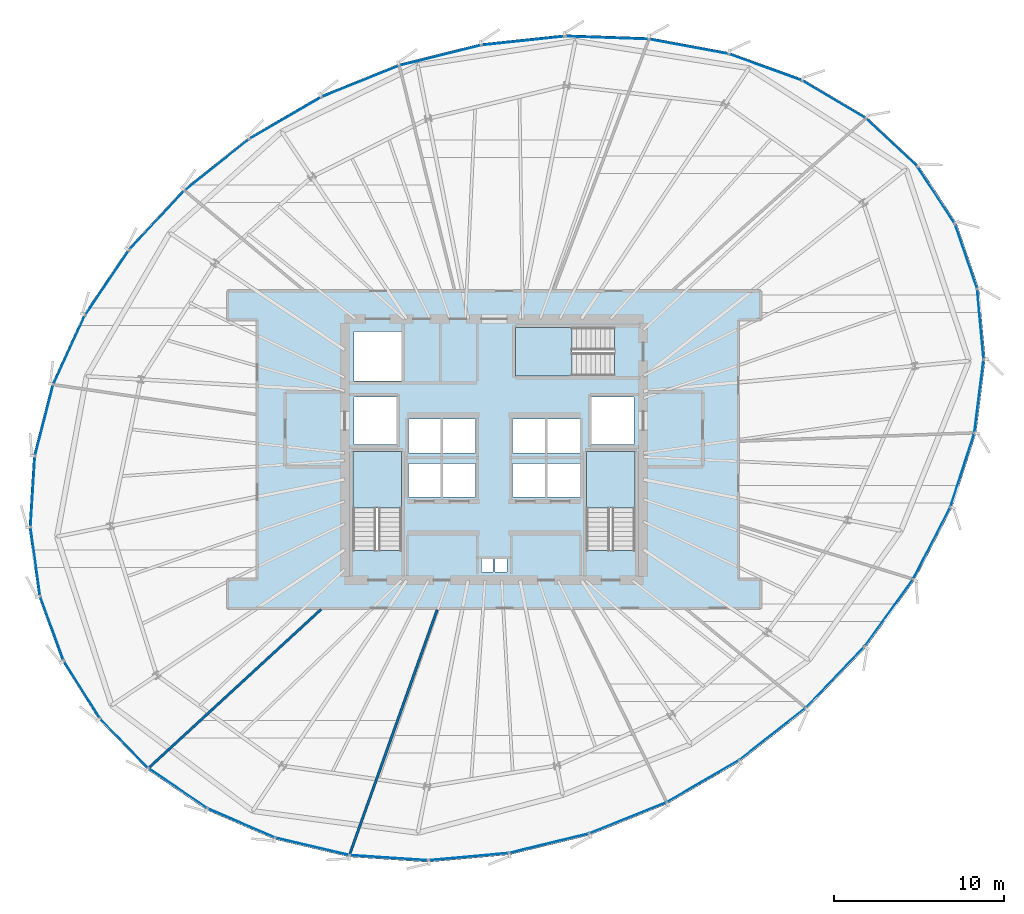
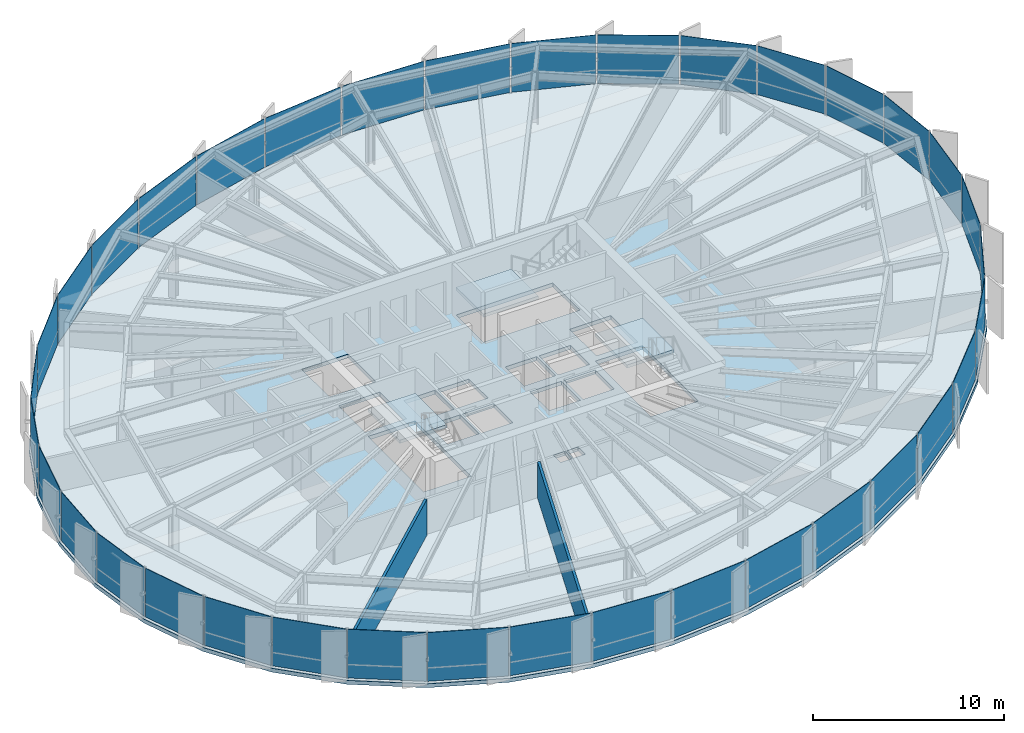
# One storey, part 28 of 35: 36 plates, 4 slabs, 2 walls, 9 elements without a shape of their own.
"""IFC4 building model written with IfcOpenShell, lengths in metres."""

from ifc_helpers import new_model, si_unit, direction, frame, frame_2d, origin, origin_2d, place, context, subcontext, project, spatial, polyline, rectangle, outline, extrude, source, transform, mapped, material, layer, layer_set, type_object, element, aggregate, save


model = new_model("IFC4")

# Units and contexts
model_context = context("Model", 3, precision=1e-05, world=origin(), true_north=direction((0.0, 1.0)))
body_context = subcontext(model_context, "Body", "Model", "MODEL_VIEW")
ifc_project = project(units=[si_unit("LENGTHUNIT", "METRE"), si_unit("AREAUNIT", "SQUARE_METRE"), si_unit("VOLUMEUNIT", "CUBIC_METRE"), si_unit("PLANEANGLEUNIT", "RADIAN"), si_unit("MASSUNIT", "GRAM", prefix="KILO"), si_unit("THERMODYNAMICTEMPERATUREUNIT", "KELVIN")], contexts=[model_context])

# Site, building, storey
site_placement = place(None, origin())
site = spatial("IfcSite", under=ifc_project, at=site_placement, CompositionType="ELEMENT")
building_placement = place(site_placement, origin())
building = spatial("IfcBuilding", under=site, at=building_placement, Name="Kethvar Cultural Tower", CompositionType="ELEMENT")
storey_placement = place(building_placement, frame((0.0, 0.0, 139.449951171875)))
storey = spatial("IfcBuildingStorey", under=building, at=storey_placement, Name="L35", CompositionType="ELEMENT", Elevation=139.449951171875)

# Stair, slab
ifc_material_1 = material(Name="Concrete C40/50", Category="concrete")
stair_type = type_object("IfcStairType", Name="ST-DOGLEG-135", PredefinedType="HALF_TURN_STAIR", material=ifc_material_1)
stair_1_placement = place(storey_placement, origin())
stair_1 = element("IfcStair", 1, at=stair_1_placement, inside=storey, type_object=stair_type, Name="L35 Core Exit Stair 1", PredefinedType="HALF_TURN_STAIR")
ifc_layer_1 = layer(ifc_material_1, 0.199951171875, Name="Concrete C40/50", Category="concrete")
ifc_layer_set_1 = layer_set([ifc_layer_1], Name="Concrete C40/50 (200 mm)")
slab_type_1 = type_object("IfcSlabType", Name="SL-STAIR-LANDING-200", PredefinedType="LANDING", material=ifc_layer_set_1)
slab_1_placement = place(storey_placement, frame((0.0, 0.0, 1.574951171875)))
slab_1 = element("IfcSlab", 2, at=slab_1_placement, type_object=slab_type_1, Name="ST-01 landing 1", PredefinedType="LANDING", context=body_context, shape_type="SweptSolid", body=[
    extrude(outline(polyline([(41.35009765625, 24.3701171875), (41.35009765625, 27.699951171875), (38.489990234375, 27.699951171875), (38.489990234375, 24.3701171875), (41.35009765625, 24.3701171875)])), origin(), (0.0, 0.0, 1.0), 0.2001953125),
])
aggregate(stair_1, [slab_1])

stair_2_placement = place(storey_placement, origin())
stair_2 = element("IfcStair", 3, at=stair_2_placement, inside=storey, type_object=stair_type, Name="L35 Core Exit Stair 2", PredefinedType="HALF_TURN_STAIR")
slab_2_placement = place(storey_placement, frame((0.0, 0.0, 1.574951171875)))
slab_2 = element("IfcSlab", 4, at=slab_2_placement, type_object=slab_type_1, Name="ST-02 landing 1", PredefinedType="LANDING", context=body_context, shape_type="SweptSolid", body=[
    extrude(outline(polyline([(55.110107421875, 24.3701171875), (55.110107421875, 27.699951171875), (52.25, 27.699951171875), (52.25, 24.3701171875), (55.110107421875, 24.3701171875)])), origin(), (0.0, 0.0, 1.0), 0.2001953125),
])
aggregate(stair_2, [slab_2])

stair_3_placement = place(storey_placement, origin())
stair_3 = element("IfcStair", 5, at=stair_3_placement, inside=storey, type_object=stair_type, Name="L35 Core Exit Stair 3", PredefinedType="HALF_TURN_STAIR")
slab_3_placement = place(storey_placement, frame((0.0, 0.0, 1.574951171875)))
slab_3 = element("IfcSlab", 6, at=slab_3_placement, type_object=slab_type_1, Name="ST-03 landing 1", PredefinedType="LANDING", context=body_context, shape_type="SweptSolid", body=[
    extrude(outline(polyline([(51.3798828125, 35.010009765625), (48.050048828125, 35.010009765625), (48.050048828125, 32.14990234375), (51.3798828125, 32.14990234375), (51.3798828125, 35.010009765625)])), origin(), (0.0, 0.0, 1.0), 0.2001953125),
])
aggregate(stair_3, [slab_3])

# Slab
ifc_layer_2 = layer(ifc_material_1, 0.25, Name="Concrete C40/50", Category="concrete")
ifc_layer_set_2 = layer_set([ifc_layer_2], Name="Concrete C40/50 (250 mm)")
slab_type_2 = type_object("IfcSlabType", Name="SL-TOW-250", PredefinedType="FLOOR", material=ifc_layer_set_2)
slab_4_placement = place(storey_placement, frame((0.0, 0.0, -0.25)))
element("IfcSlab", 7, at=slab_4_placement, inside=storey, type_object=slab_type_2, Name="L35 Structural Floor Slab", PredefinedType="FLOOR", context=body_context, shape_type="SweptSolid", body=[
    extrude(outline(polyline([(74.05224609375, 41.150634765625), (71.82275390625, 44.552001953125), (68.76171875, 47.4091796875), (64.987548828125, 49.6484375), (60.651611328125, 51.218994140625), (55.926513671875, 52.09375), (50.991943359375, 52.263427734375), (46.022705078125, 51.7353515625), (41.175048828125, 50.52783203125), (36.57666015625, 48.66845703125), (32.3115234375, 46.185791015625), (28.48681640625, 43.14453125), (25.21826171875, 39.63720703125), (22.605712890625, 35.77001953125), (20.72802734375, 31.66064453125), (19.642578125, 27.43408203125), (19.38232421875, 23.218505859375), (19.955322265625, 19.142333984375), (21.34375, 15.3291015625), (23.505859375, 11.894775390625), (26.37548828125, 8.94384765625), (29.865966796875, 6.565673828125), (33.870849609375, 4.832763671875), (38.2685546875, 3.7978515625), (42.925537109375, 3.491943359375), (47.7001953125, 3.9248046875), (52.447509765625, 5.0830078125), (57.023193359375, 6.931640625), (61.31103515625, 9.42529296875), (65.236083984375, 12.515625), (68.69921875, 16.118408203125), (71.58935546875, 20.12158203125), (73.79443359375, 24.39111328125), (75.2109375, 28.780029296875), (75.7548828125, 33.134521484375), (75.373291015625, 37.304443359375), (74.05224609375, 41.150634765625)]), holes=[polyline([(38.489990234375, 21.85009765625), (38.489990234375, 27.699951171875), (41.35009765625, 27.699951171875), (41.35009765625, 21.85009765625), (38.489990234375, 21.85009765625)]), polyline([(52.25, 21.85009765625), (52.25, 27.699951171875), (55.110107421875, 27.699951171875), (55.110107421875, 21.85009765625), (52.25, 21.85009765625)]), polyline([(53.89990234375, 32.14990234375), (48.050048828125, 32.14990234375), (48.050048828125, 35.010009765625), (53.89990234375, 35.010009765625), (53.89990234375, 32.14990234375)]), polyline([(41.75, 27.0), (43.64990234375, 27.0), (43.64990234375, 25.0), (41.75, 25.0), (41.75, 27.0)]), polyline([(43.800048828125, 27.0), (45.699951171875, 27.0), (45.699951171875, 25.0), (43.800048828125, 25.0), (43.800048828125, 27.0)]), polyline([(47.89990234375, 27.0), (49.800048828125, 27.0), (49.800048828125, 25.0), (47.89990234375, 25.0), (47.89990234375, 27.0)]), polyline([(49.949951171875, 27.0), (51.85009765625, 27.0), (51.85009765625, 25.0), (49.949951171875, 25.0), (49.949951171875, 27.0)]), polyline([(41.75, 29.60009765625), (43.64990234375, 29.60009765625), (43.64990234375, 27.60009765625), (41.75, 27.60009765625), (41.75, 29.60009765625)]), polyline([(43.800048828125, 29.60009765625), (45.699951171875, 29.60009765625), (45.699951171875, 27.60009765625), (43.800048828125, 27.60009765625), (43.800048828125, 29.60009765625)]), polyline([(47.89990234375, 29.60009765625), (49.800048828125, 29.60009765625), (49.800048828125, 27.60009765625), (47.89990234375, 27.60009765625), (47.89990234375, 29.60009765625)]), polyline([(49.949951171875, 29.60009765625), (51.85009765625, 29.60009765625), (51.85009765625, 27.60009765625), (49.949951171875, 27.60009765625), (49.949951171875, 29.60009765625)]), polyline([(38.550048828125, 30.89990234375), (41.050048828125, 30.89990234375), (41.050048828125, 28.10009765625), (38.550048828125, 28.10009765625), (38.550048828125, 30.89990234375)]), polyline([(52.550048828125, 30.89990234375), (55.050048828125, 30.89990234375), (55.050048828125, 28.10009765625), (52.550048828125, 28.10009765625), (52.550048828125, 30.89990234375)]), polyline([(38.550048828125, 34.75), (41.35009765625, 34.75), (41.35009765625, 31.85009765625), (38.550048828125, 31.85009765625), (38.550048828125, 34.75)]), polyline([(46.050048828125, 21.35009765625), (46.75, 21.35009765625), (46.75, 20.60009765625), (46.050048828125, 20.60009765625), (46.050048828125, 21.35009765625)]), polyline([(46.85009765625, 21.35009765625), (47.550048828125, 21.35009765625), (47.550048828125, 20.60009765625), (46.85009765625, 20.60009765625), (46.85009765625, 21.35009765625)])]), origin(), (0.0, 0.0, 1.0), 0.25),
])

# Curtain wall, plates
ifc_material_2 = material(Name="Aluminium 6063-T6", Category="aluminium")
ifc_layer_3 = layer(ifc_material_2, 0.179931640625, Name="Aluminium 6063-T6", Category="aluminium")
ifc_layer_set_3 = layer_set([ifc_layer_3], Name="Aluminium 6063-T6 (180 mm)")
curtain_wall_type = type_object("IfcCurtainWallType", Name="CW-SYS-04-Z34", PredefinedType="NOTDEFINED", material=ifc_layer_set_3)
curtain_wall_1_placement = place(storey_placement, origin())
curtain_wall_1 = element("IfcCurtainWall", 8, at=curtain_wall_1_placement, inside=storey, type_object=curtain_wall_type, Name="L35 Curtain Wall Run 02", PredefinedType="NOTDEFINED")
ifc_material_3 = material(Name="Insulated Low-E Solar Glass", Category="glass")
ifc_layer_4 = layer(ifc_material_3, 0.030029296875, Name="Insulated Low-E Solar Glass", Category="glass")
ifc_layer_set_4 = layer_set([ifc_layer_4], Name="Insulated Low-E Solar Glass (30 mm)")
plate_type = type_object("IfcPlateType", Name="CW-SYS-04-Z34-PNL", PredefinedType="CURTAIN_PANEL", material=ifc_layer_set_4)
shared_shape_1 = source(origin(), body_context, "Body", "SweptSolid", [
    extrude(rectangle(XDim=4.87353515625, YDim=0.030029296875, at=origin_2d()), origin(), (0.0, 0.0, 1.0), 3.1201171875),
])
plate_1_placement = place(storey_placement, frame((38.9169921875, 49.49609375, 0.090087890625), z_axis=(0.0, 0.0, 1.0), x_axis=(-0.927066122682, -0.374897858324, 0.0)))
plate_1 = element("IfcPlate", 9, at=plate_1_placement, type_object=plate_type, Name="CW-L35-R02 Vision Glazing Panel 3", PredefinedType="CURTAIN_PANEL", context=body_context, shape_type="MappedRepresentation", body=[
    mapped(shared_shape_1, transform((0.0, 0.0, 0.0), scale=1.0)),
])
shared_shape_2 = source(origin(), body_context, "Body", "SweptSolid", [
    extrude(rectangle(XDim=4.9091796875, YDim=0.030029296875, at=origin_2d()), origin(), (0.0, 0.0, 1.0), 3.1201171875),
])
plate_2_placement = place(storey_placement, frame((43.62548828125, 51.02490234375, 0.090087890625), z_axis=(0.0, 0.0, 1.0), x_axis=(-0.97035480998, -0.241684800408, 0.0)))
plate_2 = element("IfcPlate", 10, at=plate_2_placement, type_object=plate_type, Name="CW-L35-R02 Vision Glazing Panel 2", PredefinedType="CURTAIN_PANEL", context=body_context, shape_type="MappedRepresentation", body=[
    mapped(shared_shape_2, transform((0.0, 0.0, 0.0), scale=1.0)),
])

# Curtain wall, plate
curtain_wall_2_placement = place(storey_placement, origin())
curtain_wall_2 = element("IfcCurtainWall", 11, at=curtain_wall_2_placement, inside=storey, type_object=curtain_wall_type, Name="L35 Curtain Wall Run 05", PredefinedType="NOTDEFINED")
plate_3_placement = place(storey_placement, frame((63.20556640625, 11.056884765625, 0.090087890625), z_axis=(0.0, 0.0, 1.0), x_axis=(0.785716560534, 0.618586684711, 0.0)))
plate_3 = element("IfcPlate", 12, at=plate_3_placement, type_object=plate_type, Name="CW-L35-R05 Vision Glazing Panel 5", PredefinedType="CURTAIN_PANEL", context=body_context, shape_type="MappedRepresentation", body=[
    mapped(shared_shape_2, transform((0.0, 0.0, 0.0), scale=1.0)),
])

# Curtain wall, plates
curtain_wall_3_placement = place(storey_placement, origin())
curtain_wall_3 = element("IfcCurtainWall", 13, at=curtain_wall_3_placement, inside=storey, type_object=curtain_wall_type, Name="L35 Curtain Wall Run 01", PredefinedType="NOTDEFINED")
shared_shape_3 = source(origin(), body_context, "Body", "SweptSolid", [
    extrude(rectangle(XDim=3.98046875, YDim=0.030029296875, at=origin_2d()), origin(), (0.0, 0.0, 1.0), 3.1201171875),
])
plate_4_placement = place(storey_placement, frame((72.845703125, 42.791015625, 0.090087890625), z_axis=(0.0, 0.0, 1.0), x_axis=(-0.548205650832, 0.836343568395, 0.0)))
plate_4 = element("IfcPlate", 14, at=plate_4_placement, type_object=plate_type, Name="CW-L35-R01 Vision Glazing Panel 1", PredefinedType="CURTAIN_PANEL", context=body_context, shape_type="MappedRepresentation", body=[
    mapped(shared_shape_3, transform((0.0, 0.0, 0.0), scale=1.0)),
])
shared_shape_4 = source(origin(), body_context, "Body", "SweptSolid", [
    extrude(rectangle(XDim=4.10107421875, YDim=0.030029296875, at=origin_2d()), origin(), (0.0, 0.0, 1.0), 3.1201171875),
])
plate_5_placement = place(storey_placement, frame((70.21728515625, 45.900146484375, 0.090087890625), z_axis=(0.0, 0.0, 1.0), x_axis=(-0.731008417564, 0.682368444061, 0.0)))
plate_5 = element("IfcPlate", 15, at=plate_5_placement, type_object=plate_type, Name="CW-L35-R01 Vision Glazing Panel 2", PredefinedType="CURTAIN_PANEL", context=body_context, shape_type="MappedRepresentation", body=[
    mapped(shared_shape_4, transform((0.0, 0.0, 0.0), scale=1.0)),
])

# Curtain wall, plate
curtain_wall_4_placement = place(storey_placement, origin())
curtain_wall_4 = element("IfcCurtainWall", 16, at=curtain_wall_4_placement, inside=storey, type_object=curtain_wall_type, Name="L35 Curtain Wall Run 06", PredefinedType="NOTDEFINED")
plate_6_placement = place(storey_placement, frame((75.45458984375, 35.20947265625, 0.090087890625), z_axis=(0.0, 0.0, 1.0), x_axis=(-0.091154011602, 0.995836806996, 0.0)))
plate_6 = element("IfcPlate", 17, at=plate_6_placement, type_object=plate_type, Name="CW-L35-R06 Vision Glazing Panel 5", PredefinedType="CURTAIN_PANEL", context=body_context, shape_type="MappedRepresentation", body=[
    mapped(shared_shape_4, transform((0.0, 0.0, 0.0), scale=1.0)),
])

# Plate
shared_shape_5 = source(origin(), body_context, "Body", "SweptSolid", [
    extrude(rectangle(XDim=4.302001953125, YDim=0.030029296875, at=origin_2d()), origin(), (0.0, 0.0, 1.0), 3.1201171875),
])
plate_7_placement = place(storey_placement, frame((66.818603515625, 48.43408203125, 0.090087890625), z_axis=(0.0, 0.0, 1.0), x_axis=(-0.860039337591, 0.510227731309, 0.0)))
plate_7 = element("IfcPlate", 18, at=plate_7_placement, type_object=plate_type, Name="CW-L35-R01 Vision Glazing Panel 3", PredefinedType="CURTAIN_PANEL", context=body_context, shape_type="MappedRepresentation", body=[
    mapped(shared_shape_5, transform((0.0, 0.0, 0.0), scale=1.0)),
])

plate_8_placement = place(storey_placement, frame((75.373779296875, 30.970947265625, 0.090087890625), z_axis=(0.0, 0.0, 1.0), x_axis=(0.123982495731, 0.992284405174, 0.0)))
plate_8 = element("IfcPlate", 19, at=plate_8_placement, type_object=plate_type, Name="CW-L35-R06 Vision Glazing Panel 4", PredefinedType="CURTAIN_PANEL", context=body_context, shape_type="MappedRepresentation", body=[
    mapped(shared_shape_5, transform((0.0, 0.0, 0.0), scale=1.0)),
])

shared_shape_6 = source(origin(), body_context, "Body", "SweptSolid", [
    extrude(rectangle(XDim=4.525390625, YDim=0.030029296875, at=origin_2d()), origin(), (0.0, 0.0, 1.0), 3.1201171875),
])
plate_9_placement = place(storey_placement, frame((62.7822265625, 50.330322265625, 0.090087890625), z_axis=(0.0, 0.0, 1.0), x_axis=(-0.940210873138, 0.340592886058, 0.0)))
plate_9 = element("IfcPlate", 20, at=plate_9_placement, type_object=plate_type, Name="CW-L35-R01 Vision Glazing Panel 4", PredefinedType="CURTAIN_PANEL", context=body_context, shape_type="MappedRepresentation", body=[
    mapped(shared_shape_6, transform((0.0, 0.0, 0.0), scale=1.0)),
])

plate_10_placement = place(storey_placement, frame((74.39794921875, 26.619384765625, 0.090087890625), z_axis=(0.0, 0.0, 1.0), x_axis=(0.30712409025, 0.951669476861, 0.0)))
plate_10 = element("IfcPlate", 21, at=plate_10_placement, type_object=plate_type, Name="CW-L35-R06 Vision Glazing Panel 3", PredefinedType="CURTAIN_PANEL", context=body_context, shape_type="MappedRepresentation", body=[
    mapped(shared_shape_6, transform((0.0, 0.0, 0.0), scale=1.0)),
])

shared_shape_7 = source(origin(), body_context, "Body", "SweptSolid", [
    extrude(rectangle(XDim=4.718994140625, YDim=0.030029296875, at=origin_2d()), origin(), (0.0, 0.0, 1.0), 3.1201171875),
])
plate_11_placement = place(storey_placement, frame((58.26904296875, 51.548095703125, 0.090087890625), z_axis=(0.0, 0.0, 1.0), x_axis=(-0.98329940675, 0.181995265557, 0.0)))
plate_11 = element("IfcPlate", 22, at=plate_11_placement, type_object=plate_type, Name="CW-L35-R01 Vision Glazing Panel 5", PredefinedType="CURTAIN_PANEL", context=body_context, shape_type="MappedRepresentation", body=[
    mapped(shared_shape_7, transform((0.0, 0.0, 0.0), scale=1.0)),
])

plate_12_placement = place(storey_placement, frame((72.59423828125, 22.306884765625, 0.090087890625), z_axis=(0.0, 0.0, 1.0), x_axis=(0.458866670941, 0.888505136901, 0.0)))
plate_12 = element("IfcPlate", 23, at=plate_12_placement, type_object=plate_type, Name="CW-L35-R06 Vision Glazing Panel 2", PredefinedType="CURTAIN_PANEL", context=body_context, shape_type="MappedRepresentation", body=[
    mapped(shared_shape_7, transform((0.0, 0.0, 0.0), scale=1.0)),
])

shared_shape_8 = source(origin(), body_context, "Body", "SweptSolid", [
    extrude(rectangle(XDim=4.850830078125, YDim=0.030029296875, at=origin_2d()), origin(), (0.0, 0.0, 1.0), 3.1201171875),
])
plate_13_placement = place(storey_placement, frame((53.455322265625, 52.068603515625, 0.090087890625), z_axis=(0.0, 0.0, 1.0), x_axis=(-0.999408363227, 0.034393655101, 0.0)))
plate_13 = element("IfcPlate", 24, at=plate_13_placement, type_object=plate_type, Name="CW-L35-R01 Vision Glazing Panel 6", PredefinedType="CURTAIN_PANEL", context=body_context, shape_type="MappedRepresentation", body=[
    mapped(shared_shape_8, transform((0.0, 0.0, 0.0), scale=1.0)),
])

aggregate(curtain_wall_3, [plate_4, plate_5, plate_7, plate_9, plate_11, plate_13])

shared_shape_9 = source(origin(), body_context, "Body", "SweptSolid", [
    extrude(rectangle(XDim=4.910888671875, YDim=0.030029296875, at=origin_2d()), origin(), (0.0, 0.0, 1.0), 3.1201171875),
])
plate_14_placement = place(storey_placement, frame((48.51904296875, 51.89013671875, 0.090087890625), z_axis=(0.0, 0.0, 1.0), x_axis=(-0.994398982916, -0.105691356199, 0.0)))
plate_14 = element("IfcPlate", 25, at=plate_14_placement, type_object=plate_type, Name="CW-L35-R02 Vision Glazing Panel 1", PredefinedType="CURTAIN_PANEL", context=body_context, shape_type="MappedRepresentation", body=[
    mapped(shared_shape_9, transform((0.0, 0.0, 0.0), scale=1.0)),
])

plate_15_placement = place(storey_placement, frame((66.888427734375, 14.393310546875, 0.090087890625), z_axis=(0.0, 0.0, 1.0), x_axis=(0.692974122577, 0.720962457718, 0.0)))
plate_15 = element("IfcPlate", 26, at=plate_15_placement, type_object=plate_type, Name="CW-L35-R05 Vision Glazing Panel 6", PredefinedType="CURTAIN_PANEL", context=body_context, shape_type="MappedRepresentation", body=[
    mapped(shared_shape_9, transform((0.0, 0.0, 0.0), scale=1.0)),
])

shared_shape_10 = source(origin(), body_context, "Body", "SweptSolid", [
    extrude(rectangle(XDim=4.8486328125, YDim=0.030029296875, at=origin_2d()), origin(), (0.0, 0.0, 1.0), 3.1201171875),
])
plate_16_placement = place(storey_placement, frame((34.49951171875, 47.33203125, 0.090087890625), z_axis=(0.0, 0.0, 1.0), x_axis=(-0.864248462706, -0.503065199263, 0.0)))
plate_16 = element("IfcPlate", 27, at=plate_16_placement, type_object=plate_type, Name="CW-L35-R02 Vision Glazing Panel 4", PredefinedType="CURTAIN_PANEL", context=body_context, shape_type="MappedRepresentation", body=[
    mapped(shared_shape_10, transform((0.0, 0.0, 0.0), scale=1.0)),
])

shared_shape_11 = source(origin(), body_context, "Body", "SweptSolid", [
    extrude(rectangle(XDim=4.80029296875, YDim=0.030029296875, at=origin_2d()), origin(), (0.0, 0.0, 1.0), 3.1201171875),
])
plate_17_placement = place(storey_placement, frame((30.467529296875, 44.5791015625, 0.090087890625), z_axis=(0.0, 0.0, 1.0), x_axis=(-0.782727656659, -0.622364375186, 0.0)))
plate_17 = element("IfcPlate", 28, at=plate_17_placement, type_object=plate_type, Name="CW-L35-R02 Vision Glazing Panel 5", PredefinedType="CURTAIN_PANEL", context=body_context, shape_type="MappedRepresentation", body=[
    mapped(shared_shape_11, transform((0.0, 0.0, 0.0), scale=1.0)),
])

plate_18_placement = place(storey_placement, frame((50.0478515625, 4.61083984375, 0.090087890625), z_axis=(0.0, 0.0, 1.0), x_axis=(0.971507769146, 0.237007709767, 0.0)))
plate_18 = element("IfcPlate", 29, at=plate_18_placement, type_object=plate_type, Name="CW-L35-R05 Vision Glazing Panel 2", PredefinedType="CURTAIN_PANEL", context=body_context, shape_type="MappedRepresentation", body=[
    mapped(shared_shape_11, transform((0.0, 0.0, 0.0), scale=1.0)),
])

shared_shape_12 = source(origin(), body_context, "Body", "SweptSolid", [
    extrude(rectangle(XDim=4.707763671875, YDim=0.030029296875, at=origin_2d()), origin(), (0.0, 0.0, 1.0), 3.1201171875),
])
plate_19_placement = place(storey_placement, frame((26.932861328125, 41.31591796875, 0.090087890625), z_axis=(0.0, 0.0, 1.0), x_axis=(-0.681743027916, -0.731591719395, 0.0)))
plate_19 = element("IfcPlate", 30, at=plate_19_placement, type_object=plate_type, Name="CW-L35-R02 Vision Glazing Panel 6", PredefinedType="CURTAIN_PANEL", context=body_context, shape_type="MappedRepresentation", body=[
    mapped(shared_shape_12, transform((0.0, 0.0, 0.0), scale=1.0)),
])

aggregate(curtain_wall_1, [plate_14, plate_2, plate_1, plate_16, plate_17, plate_19])

plate_20_placement = place(storey_placement, frame((45.302978515625, 3.818115234375, 0.090087890625), z_axis=(0.0, 0.0, 1.0), x_axis=(0.99591439876, 0.090302327448, 0.0)))
plate_20 = element("IfcPlate", 31, at=plate_20_placement, type_object=plate_type, Name="CW-L35-R05 Vision Glazing Panel 1", PredefinedType="CURTAIN_PANEL", context=body_context, shape_type="MappedRepresentation", body=[
    mapped(shared_shape_12, transform((0.0, 0.0, 0.0), scale=1.0)),
])

# Curtain wall, plate
curtain_wall_5_placement = place(storey_placement, origin())
curtain_wall_5 = element("IfcCurtainWall", 32, at=curtain_wall_5_placement, inside=storey, type_object=curtain_wall_type, Name="L35 Curtain Wall Run 03", PredefinedType="NOTDEFINED")
shared_shape_13 = source(origin(), body_context, "Body", "SweptSolid", [
    extrude(rectangle(XDim=4.58056640625, YDim=0.030029296875, at=origin_2d()), origin(), (0.0, 0.0, 1.0), 3.1201171875),
])
plate_21_placement = place(storey_placement, frame((24.003173828125, 37.64208984375, 0.090087890625), z_axis=(0.0, 0.0, 1.0), x_axis=(-0.559829393671, -0.828607898817, 0.0)))
plate_21 = element("IfcPlate", 33, at=plate_21_placement, type_object=plate_type, Name="CW-L35-R03 Vision Glazing Panel 1", PredefinedType="CURTAIN_PANEL", context=body_context, shape_type="MappedRepresentation", body=[
    mapped(shared_shape_13, transform((0.0, 0.0, 0.0), scale=1.0)),
])

curtain_wall_6_placement = place(storey_placement, origin())
curtain_wall_6 = element("IfcCurtainWall", 34, at=curtain_wall_6_placement, inside=storey, type_object=curtain_wall_type, Name="L35 Curtain Wall Run 04", PredefinedType="NOTDEFINED")
plate_22_placement = place(storey_placement, frame((40.604248046875, 3.754638671875, 0.090087890625), z_axis=(0.0, 0.0, 1.0), x_axis=(0.997850925292, -0.065525040207, 0.0)))
plate_22 = element("IfcPlate", 35, at=plate_22_placement, type_object=plate_type, Name="CW-L35-R04 Vision Glazing Panel 6", PredefinedType="CURTAIN_PANEL", context=body_context, shape_type="MappedRepresentation", body=[
    mapped(shared_shape_13, transform((0.0, 0.0, 0.0), scale=1.0)),
])

# Plate
shared_shape_14 = source(origin(), body_context, "Body", "SweptSolid", [
    extrude(rectangle(XDim=4.431396484375, YDim=0.030029296875, at=origin_2d()), origin(), (0.0, 0.0, 1.0), 3.1201171875),
])
plate_23_placement = place(storey_placement, frame((21.766845703125, 33.669677734375, 0.090087890625), z_axis=(0.0, 0.0, 1.0), x_axis=(-0.415582426374, -0.909555521609, 0.0)))
plate_23 = element("IfcPlate", 36, at=plate_23_placement, type_object=plate_type, Name="CW-L35-R03 Vision Glazing Panel 2", PredefinedType="CURTAIN_PANEL", context=body_context, shape_type="MappedRepresentation", body=[
    mapped(shared_shape_14, transform((0.0, 0.0, 0.0), scale=1.0)),
])

plate_24_placement = place(storey_placement, frame((36.094970703125, 4.42236328125, 0.090087890625), z_axis=(0.0, 0.0, 1.0), x_axis=(0.973407253306, -0.229081468502, 0.0)))
plate_24 = element("IfcPlate", 37, at=plate_24_placement, type_object=plate_type, Name="CW-L35-R04 Vision Glazing Panel 5", PredefinedType="CURTAIN_PANEL", context=body_context, shape_type="MappedRepresentation", body=[
    mapped(shared_shape_14, transform((0.0, 0.0, 0.0), scale=1.0)),
])

shared_shape_15 = source(origin(), body_context, "Body", "SweptSolid", [
    extrude(rectangle(XDim=4.27734375, YDim=0.030029296875, at=origin_2d()), origin(), (0.0, 0.0, 1.0), 3.1201171875),
])
plate_25_placement = place(storey_placement, frame((20.291748046875, 29.52001953125, 0.090087890625), z_axis=(0.0, 0.0, 1.0), x_axis=(-0.248723696944, -0.968574479624, 0.0)))
plate_25 = element("IfcPlate", 38, at=plate_25_placement, type_object=plate_type, Name="CW-L35-R03 Vision Glazing Panel 3", PredefinedType="CURTAIN_PANEL", context=body_context, shape_type="MappedRepresentation", body=[
    mapped(shared_shape_15, transform((0.0, 0.0, 0.0), scale=1.0)),
])

plate_26_placement = place(storey_placement, frame((31.912109375, 5.80029296875, 0.090087890625), z_axis=(0.0, 0.0, 1.0), x_axis=(0.917768488201, -0.397115854713, 0.0)))
plate_26 = element("IfcPlate", 39, at=plate_26_placement, type_object=plate_type, Name="CW-L35-R04 Vision Glazing Panel 4", PredefinedType="CURTAIN_PANEL", context=body_context, shape_type="MappedRepresentation", body=[
    mapped(shared_shape_15, transform((0.0, 0.0, 0.0), scale=1.0)),
])

shared_shape_16 = source(origin(), body_context, "Body", "SweptSolid", [
    extrude(rectangle(XDim=4.13720703125, YDim=0.030029296875, at=origin_2d()), origin(), (0.0, 0.0, 1.0), 3.1201171875),
])
plate_27_placement = place(storey_placement, frame((19.622314453125, 25.319580078125, 0.090087890625), z_axis=(0.0, 0.0, 1.0), x_axis=(-0.06160599362, -0.998100546814, 0.0)))
plate_27 = element("IfcPlate", 40, at=plate_27_placement, type_object=plate_type, Name="CW-L35-R03 Vision Glazing Panel 4", PredefinedType="CURTAIN_PANEL", context=body_context, shape_type="MappedRepresentation", body=[
    mapped(shared_shape_16, transform((0.0, 0.0, 0.0), scale=1.0)),
])

plate_28_placement = place(storey_placement, frame((28.1826171875, 7.845703125, 0.090087890625), z_axis=(0.0, 0.0, 1.0), x_axis=(0.826412897957, -0.563064580746, 0.0)))
plate_28 = element("IfcPlate", 41, at=plate_28_placement, type_object=plate_type, Name="CW-L35-R04 Vision Glazing Panel 3", PredefinedType="CURTAIN_PANEL", context=body_context, shape_type="MappedRepresentation", body=[
    mapped(shared_shape_16, transform((0.0, 0.0, 0.0), scale=1.0)),
])

shared_shape_17 = source(origin(), body_context, "Body", "SweptSolid", [
    extrude(rectangle(XDim=4.02978515625, YDim=0.030029296875, at=origin_2d()), origin(), (0.0, 0.0, 1.0), 3.1201171875),
])
plate_29_placement = place(storey_placement, frame((19.777587890625, 21.19580078125, 0.090087890625), z_axis=(0.0, 0.0, 1.0), x_axis=(0.13917310096, -0.990268068742, 0.0)))
plate_29 = element("IfcPlate", 42, at=plate_29_placement, type_object=plate_type, Name="CW-L35-R03 Vision Glazing Panel 5", PredefinedType="CURTAIN_PANEL", context=body_context, shape_type="MappedRepresentation", body=[
    mapped(shared_shape_17, transform((0.0, 0.0, 0.0), scale=1.0)),
])

plate_30_placement = place(storey_placement, frame((25.01953125, 10.49609375, 0.090087890625), z_axis=(0.0, 0.0, 1.0), x_axis=(0.697177615199, -0.716898439715, 0.0)))
plate_30 = element("IfcPlate", 43, at=plate_30_placement, type_object=plate_type, Name="CW-L35-R04 Vision Glazing Panel 2", PredefinedType="CURTAIN_PANEL", context=body_context, shape_type="MappedRepresentation", body=[
    mapped(shared_shape_17, transform((0.0, 0.0, 0.0), scale=1.0)),
])

shared_shape_18 = source(origin(), body_context, "Body", "SweptSolid", [
    extrude(rectangle(XDim=3.9716796875, YDim=0.030029296875, at=origin_2d()), origin(), (0.0, 0.0, 1.0), 3.1201171875),
])
plate_31_placement = place(storey_placement, frame((20.7529296875, 17.273193359375, 0.090087890625), z_axis=(0.0, 0.0, 1.0), x_axis=(0.342151345833, -0.939644856605, 0.0)))
plate_31 = element("IfcPlate", 44, at=plate_31_placement, type_object=plate_type, Name="CW-L35-R03 Vision Glazing Panel 6", PredefinedType="CURTAIN_PANEL", context=body_context, shape_type="MappedRepresentation", body=[
    mapped(shared_shape_18, transform((0.0, 0.0, 0.0), scale=1.0)),
])

aggregate(curtain_wall_5, [plate_21, plate_23, plate_25, plate_27, plate_29, plate_31])

plate_32_placement = place(storey_placement, frame((22.517822265625, 13.670654296875, 0.090087890625), z_axis=(0.0, 0.0, 1.0), x_axis=(0.532758120022, -0.846267561443, 0.0)))
plate_32 = element("IfcPlate", 45, at=plate_32_placement, type_object=plate_type, Name="CW-L35-R04 Vision Glazing Panel 1", PredefinedType="CURTAIN_PANEL", context=body_context, shape_type="MappedRepresentation", body=[
    mapped(shared_shape_18, transform((0.0, 0.0, 0.0), scale=1.0)),
])

aggregate(curtain_wall_6, [plate_32, plate_30, plate_28, plate_26, plate_24, plate_22])

shared_shape_19 = source(origin(), body_context, "Body", "SweptSolid", [
    extrude(rectangle(XDim=4.848388671875, YDim=0.030029296875, at=origin_2d()), origin(), (0.0, 0.0, 1.0), 3.1201171875),
])
plate_33_placement = place(storey_placement, frame((54.694091796875, 6.109375, 0.090087890625), z_axis=(0.0, 0.0, 1.0), x_axis=(0.927196930239, 0.374574228366, 0.0)))
plate_33 = element("IfcPlate", 46, at=plate_33_placement, type_object=plate_type, Name="CW-L35-R05 Vision Glazing Panel 3", PredefinedType="CURTAIN_PANEL", context=body_context, shape_type="MappedRepresentation", body=[
    mapped(shared_shape_19, transform((0.0, 0.0, 0.0), scale=1.0)),
])

shared_shape_20 = source(origin(), body_context, "Body", "SweptSolid", [
    extrude(rectangle(XDim=4.873779296875, YDim=0.030029296875, at=origin_2d()), origin(), (0.0, 0.0, 1.0), 3.1201171875),
])
plate_34_placement = place(storey_placement, frame((59.11181640625, 8.273681640625, 0.090087890625), z_axis=(0.0, 0.0, 1.0), x_axis=(0.864432787678, 0.502748401875, 0.0)))
plate_34 = element("IfcPlate", 47, at=plate_34_placement, type_object=plate_type, Name="CW-L35-R05 Vision Glazing Panel 4", PredefinedType="CURTAIN_PANEL", context=body_context, shape_type="MappedRepresentation", body=[
    mapped(shared_shape_20, transform((0.0, 0.0, 0.0), scale=1.0)),
])

aggregate(curtain_wall_2, [plate_20, plate_18, plate_33, plate_34, plate_3, plate_15])

shared_shape_21 = source(origin(), body_context, "Body", "SweptSolid", [
    extrude(rectangle(XDim=4.85107421875, YDim=0.030029296875, at=origin_2d()), origin(), (0.0, 0.0, 1.0), 3.1201171875),
])
plate_35_placement = place(storey_placement, frame((70.05517578125, 18.184326171875, 0.090087890625), z_axis=(0.0, 0.0, 1.0), x_axis=(0.585382266806, 0.810757424702, 0.0)))
plate_35 = element("IfcPlate", 48, at=plate_35_placement, type_object=plate_type, Name="CW-L35-R06 Vision Glazing Panel 1", PredefinedType="CURTAIN_PANEL", context=body_context, shape_type="MappedRepresentation", body=[
    mapped(shared_shape_21, transform((0.0, 0.0, 0.0), scale=1.0)),
])

shared_shape_22 = source(origin(), body_context, "Body", "SweptSolid", [
    extrude(rectangle(XDim=3.980224609375, YDim=0.030029296875, at=origin_2d()), origin(), (0.0, 0.0, 1.0), 3.1201171875),
])
plate_36_placement = place(storey_placement, frame((74.60888671875, 39.19189453125, 0.090087890625), z_axis=(0.0, 0.0, 1.0), x_axis=(-0.324825445567, 0.945773984582, 0.0)))
plate_36 = element("IfcPlate", 49, at=plate_36_placement, type_object=plate_type, Name="CW-L35-R06 Vision Glazing Panel 6", PredefinedType="CURTAIN_PANEL", context=body_context, shape_type="MappedRepresentation", body=[
    mapped(shared_shape_22, transform((0.0, 0.0, 0.0), scale=1.0)),
])

aggregate(curtain_wall_4, [plate_35, plate_12, plate_10, plate_8, plate_6, plate_36])

# Walls
ifc_material_4 = material(Name="Gypsum Acoustic Partition")
ifc_layer_5 = layer(ifc_material_4, 0.14990234375, Name="Gypsum Acoustic Partition")
ifc_layer_set_5 = layer_set([ifc_layer_5], Name="Gypsum Acoustic Partition (150 mm)")
wall_type = type_object("IfcWallType", Name="WL-PART-150", PredefinedType="PARTITIONING", material=ifc_layer_set_5)
wall_1_placement = place(storey_placement, frame((36.613525390625, 18.395751953125, 0.0), z_axis=(0.0, 0.0, 1.0), x_axis=(-0.735962913831, -0.677021853019, 0.0)))
element("IfcWall", 50, at=wall_1_placement, inside=storey, type_object=wall_type, Name="L35 Radial Partition Wall 01", PredefinedType="PARTITIONING", context=body_context, shape_type="SweptSolid", body=[
    extrude(rectangle(XDim=13.72705078125, YDim=0.14990234375, at=frame_2d((6.863525390625, 0.0))), origin(), (0.0, 0.0, 1.0), 2.304931640625),
])
wall_2_placement = place(storey_placement, frame((43.44970703125, 18.374755859375, 0.0), z_axis=(0.0, 0.0, 1.0), x_axis=(-0.336737591422, -0.9415985315, 0.0)))
element("IfcWall", 51, at=wall_2_placement, inside=storey, type_object=wall_type, Name="L35 Radial Partition Wall 02", PredefinedType="PARTITIONING", context=body_context, shape_type="SweptSolid", body=[
    extrude(rectangle(XDim=15.264404296875, YDim=0.14990234375, at=frame_2d((7.63232421875, 0.0))), origin(), (0.0, 0.0, 1.0), 2.304931640625),
])

save(model, "model.ifc")
